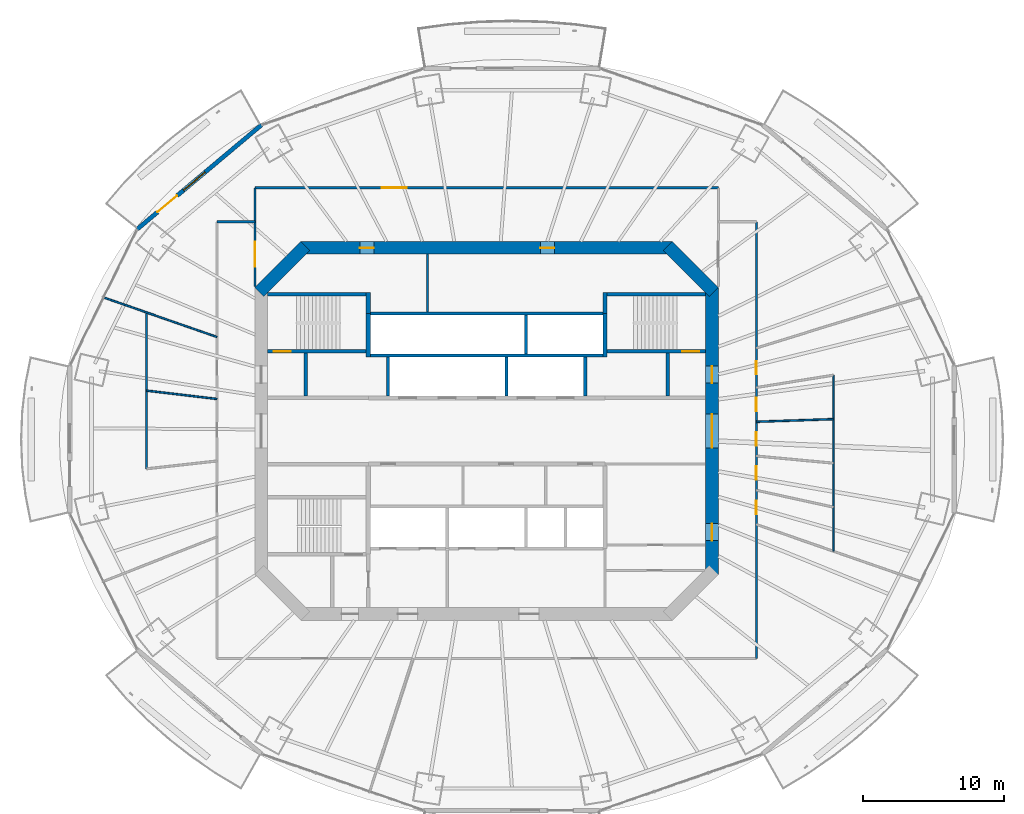
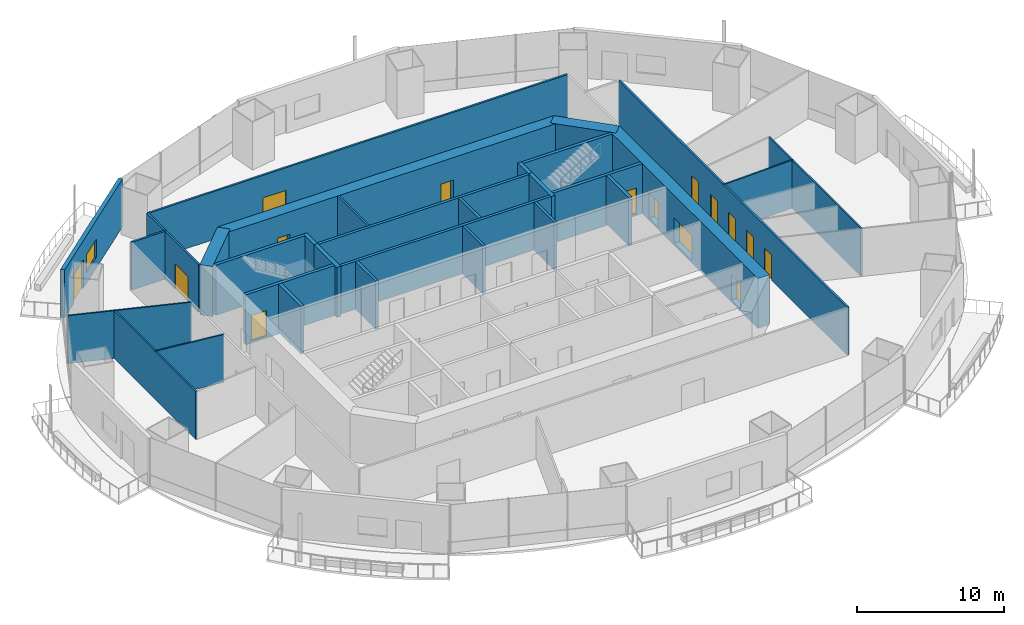
# One storey, part 13 of 20: 31 walls, 15 doors, 1 window, 16 openings.
"""IFC4 building model written with IfcOpenShell, lengths in metres."""

from ifc_helpers import new_model, si_unit, direction, frame, frame_2d, origin, place, context, subcontext, project, spatial, rectangle, extrude, material, layer, layer_set, type_object, element, fill, save


model = new_model("IFC4")

# Units and contexts
model_context = context("Model", 3, precision=1e-05, world=origin(), true_north=direction((0.0, 1.0)))
body_context = subcontext(model_context, "Body", "Model", "MODEL_VIEW")
ifc_project = project(units=[si_unit("LENGTHUNIT", "METRE"), si_unit("AREAUNIT", "SQUARE_METRE"), si_unit("VOLUMEUNIT", "CUBIC_METRE"), si_unit("PLANEANGLEUNIT", "RADIAN"), si_unit("MASSUNIT", "GRAM", prefix="KILO")], contexts=[model_context])

# Site, building, storey
site_placement = place(None, origin())
site = spatial("IfcSite", under=ifc_project, at=site_placement, CompositionType="ELEMENT")
building_placement = place(site_placement, origin())
building = spatial("IfcBuilding", under=site, at=building_placement, Name="Marenthal Gate Tower", CompositionType="ELEMENT")
storey_placement = place(building_placement, frame((0.0, 0.0, 185.949951171875)))
storey = spatial("IfcBuildingStorey", under=building, at=storey_placement, Name="L40", CompositionType="ELEMENT", Elevation=185.949951171875)

# Wall, openings, doors
ifc_material_1 = material(Name="Concrete 60 MPa", Category="concrete")
ifc_layer_1 = layer(ifc_material_1, 0.89990234375)
ifc_layer_set_1 = layer_set([ifc_layer_1], Name="Core shear wall 900")
wall_type_1 = type_object("IfcWallType", Name="Core shear wall 900", PredefinedType="SHEAR", material=ifc_layer_set_1)
wall_1_placement = place(storey_placement, frame((16.0, -10.186279296875, -0.179931640625), z_axis=(0.0, 0.0, 1.0), x_axis=(0.0, 1.0, 0.0)))
wall_1 = element("IfcWall", 1, at=wall_1_placement, inside=storey, type_object=wall_type_1, Name="Core wall 02", PredefinedType="SHEAR", context=body_context, shape_type="SweptSolid", body=[
    extrude(rectangle(XDim=20.37255859375, YDim=0.89990234375, at=frame_2d((10.186279296875, 0.0))), origin(), (0.0, 0.0, 1.0), 4.14990234375),
])
opening_1_placement = place(wall_1_placement, frame((8.986328125, 0.0, 0.179931640625)))
opening_1 = element("IfcOpeningElement", 2, at=opening_1_placement, cuts=wall_1, Name="Opening D003.02", PredefinedType="OPENING", context=body_context, shape_type="SweptSolid", body=[
    extrude(rectangle(XDim=2.39990234375, YDim=2.10009765625, at=frame_2d((1.199951171875, 1.050048828125))), frame((0.0, 0.4599609375, 0.0), z_axis=(0.0, -1.0, 0.0), x_axis=(1.0, 0.0, 0.0)), (0.0, 0.0, 1.0), 0.919921875),
])
opening_2_placement = place(wall_1_placement, frame((13.58642578125, 0.0, 0.179931640625)))
opening_2 = element("IfcOpeningElement", 3, at=opening_2_placement, cuts=wall_1, Name="Opening D001.05", PredefinedType="OPENING", context=body_context, shape_type="SweptSolid", body=[
    extrude(rectangle(XDim=1.199951171875, YDim=2.10009765625, at=frame_2d((0.60009765625, 1.050048828125))), frame((0.0, 0.4599609375, 0.0), z_axis=(0.0, -1.0, 0.0), x_axis=(1.0, 0.0, 0.0)), (0.0, 0.0, 1.0), 0.919921875),
])
opening_3_placement = place(wall_1_placement, frame((2.39990234375, 0.0, 0.179931640625)))
opening_3 = element("IfcOpeningElement", 4, at=opening_3_placement, cuts=wall_1, Name="Opening D006.01", PredefinedType="OPENING", context=body_context, shape_type="SweptSolid", body=[
    extrude(rectangle(XDim=1.199951171875, YDim=2.10009765625, at=frame_2d((0.60009765625, 1.050048828125))), frame((0.0, 0.4599609375, 0.0), z_axis=(0.0, -1.0, 0.0), x_axis=(1.0, 0.0, 0.0)), (0.0, 0.0, 1.0), 0.919921875),
])
ifc_material_2 = material(Name="Steel fire door", Category="steel")
door_type_1 = type_object("IfcDoorType", Name="Double fire door FD 45 2400 x 2100", OperationType="DOUBLE_DOOR_SINGLE_SWING", PredefinedType="DOOR", material=ifc_material_2)
door_1_placement = place(opening_1_placement, origin())
door_1 = element("IfcDoor", 5, at=door_1_placement, inside=storey, type_object=door_type_1, Name="Door D003.02", OperationType="DOUBLE_DOOR_SINGLE_SWING", OverallHeight=2.10009765625, OverallWidth=2.39990234375, PredefinedType="DOOR", context=body_context, shape_type="SweptSolid", body=[
    extrude(rectangle(XDim=2.39990234375, YDim=2.10009765625, at=frame_2d((1.199951171875, 1.050048828125))), frame((0.0, 0.02490234375, 0.0), z_axis=(0.0, -1.0, 0.0), x_axis=(1.0, 0.0, 0.0)), (0.0, 0.0, 1.0), 0.050048828125),
])
fill(opening_1, door_1)
ifc_material_3 = material(Name="Steel fire door", Category="steel")
door_type_2 = type_object("IfcDoorType", Name="Fire door FD 45 1200 x 2100", OperationType="NOTDEFINED", PredefinedType="DOOR", material=ifc_material_3)
door_2_placement = place(opening_3_placement, origin())
door_2 = element("IfcDoor", 6, at=door_2_placement, inside=storey, type_object=door_type_2, Name="Door D006.01", OperationType="SINGLE_SWING_RIGHT", OverallHeight=2.10009765625, OverallWidth=1.199951171875, PredefinedType="DOOR", context=body_context, shape_type="SweptSolid", body=[
    extrude(rectangle(XDim=1.199951171875, YDim=2.10009765625, at=frame_2d((0.60009765625, 1.050048828125))), frame((0.0, 0.02490234375, 0.0), z_axis=(0.0, -1.0, 0.0), x_axis=(1.0, 0.0, 0.0)), (0.0, 0.0, 1.0), 0.050048828125),
])
fill(opening_3, door_2)
ifc_material_4 = material(Name="Steel fire door", Category="steel")
door_type_3 = type_object("IfcDoorType", Name="Fire door FD 90 1200 x 2100", OperationType="NOTDEFINED", PredefinedType="DOOR", material=ifc_material_4)
door_3_placement = place(opening_2_placement, origin())
door_3 = element("IfcDoor", 7, at=door_3_placement, inside=storey, type_object=door_type_3, Name="Door D001.05", OperationType="SINGLE_SWING_RIGHT", OverallHeight=2.10009765625, OverallWidth=1.199951171875, PredefinedType="DOOR", context=body_context, shape_type="SweptSolid", body=[
    extrude(rectangle(XDim=1.199951171875, YDim=2.10009765625, at=frame_2d((0.60009765625, 1.050048828125))), frame((0.0, 0.02490234375, 0.0), z_axis=(0.0, -1.0, 0.0), x_axis=(1.0, 0.0, 0.0)), (0.0, 0.0, 1.0), 0.050048828125),
])
fill(opening_2, door_3)

# Wall
wall_2_placement = place(storey_placement, frame((16.1318359375, 9.8681640625, -0.179931640625), z_axis=(0.0, 0.0, 1.0), x_axis=(-0.707106781187, 0.707106781187, 0.0)))
element("IfcWall", 8, at=wall_2_placement, inside=storey, type_object=wall_type_1, Name="Core wall 03", PredefinedType="SHEAR", context=body_context, shape_type="SweptSolid", body=[
    extrude(rectangle(XDim=4.615478515625, YDim=0.89990234375, at=frame_2d((2.3076171875, 0.0))), origin(), (0.0, 0.0, 1.0), 4.14990234375),
])

# Wall, openings, doors
wall_3_placement = place(storey_placement, frame((13.186279296875, 13.0, -0.179931640625), z_axis=(0.0, 0.0, 1.0), x_axis=(-1.0, 0.0, 0.0)))
wall_3 = element("IfcWall", 9, at=wall_3_placement, inside=storey, type_object=wall_type_1, Name="Core wall 04", PredefinedType="SHEAR", context=body_context, shape_type="SweptSolid", body=[
    extrude(rectangle(XDim=26.37255859375, YDim=0.89990234375, at=frame_2d((13.186279296875, 0.0))), origin(), (0.0, 0.0, 1.0), 4.14990234375),
])
opening_4_placement = place(wall_3_placement, frame((21.193359375, 0.0, 0.179931640625)))
opening_4 = element("IfcOpeningElement", 10, at=opening_4_placement, cuts=wall_3, Name="Opening D005.04", PredefinedType="OPENING", context=body_context, shape_type="SweptSolid", body=[
    extrude(rectangle(XDim=1.0, YDim=2.10009765625, at=frame_2d((0.5, 1.050048828125))), frame((0.0, 0.4599609375, 0.0), z_axis=(0.0, -1.0, 0.0), x_axis=(1.0, 0.0, 0.0)), (0.0, 0.0, 1.0), 0.919921875),
])
opening_5_placement = place(wall_3_placement, frame((8.37939453125, 0.0, 0.179931640625)))
opening_5 = element("IfcOpeningElement", 11, at=opening_5_placement, cuts=wall_3, Name="Opening D005.05", PredefinedType="OPENING", context=body_context, shape_type="SweptSolid", body=[
    extrude(rectangle(XDim=1.0, YDim=2.10009765625, at=frame_2d((0.5, 1.050048828125))), frame((0.0, 0.4599609375, 0.0), z_axis=(0.0, -1.0, 0.0), x_axis=(1.0, 0.0, 0.0)), (0.0, 0.0, 1.0), 0.919921875),
])
ifc_material_5 = material(Name="Steel fire door", Category="steel")
door_type_4 = type_object("IfcDoorType", Name="Fire door FD 45 1000 x 2100", OperationType="NOTDEFINED", PredefinedType="DOOR", material=ifc_material_5)
door_4_placement = place(opening_4_placement, origin())
door_4 = element("IfcDoor", 12, at=door_4_placement, inside=storey, type_object=door_type_4, Name="Door D005.04", OperationType="SINGLE_SWING_RIGHT", OverallHeight=2.10009765625, OverallWidth=1.0, PredefinedType="DOOR", context=body_context, shape_type="SweptSolid", body=[
    extrude(rectangle(XDim=1.0, YDim=2.10009765625, at=frame_2d((0.5, 1.050048828125))), frame((0.0, 0.02490234375, 0.0), z_axis=(0.0, -1.0, 0.0), x_axis=(1.0, 0.0, 0.0)), (0.0, 0.0, 1.0), 0.050048828125),
])
fill(opening_4, door_4)
door_5_placement = place(opening_5_placement, origin())
door_5 = element("IfcDoor", 13, at=door_5_placement, inside=storey, type_object=door_type_4, Name="Door D005.05", OperationType="SINGLE_SWING_RIGHT", OverallHeight=2.10009765625, OverallWidth=1.0, PredefinedType="DOOR", context=body_context, shape_type="SweptSolid", body=[
    extrude(rectangle(XDim=1.0, YDim=2.10009765625, at=frame_2d((0.5, 1.050048828125))), frame((0.0, 0.02490234375, 0.0), z_axis=(0.0, -1.0, 0.0), x_axis=(1.0, 0.0, 0.0)), (0.0, 0.0, 1.0), 0.050048828125),
])
fill(opening_5, door_5)

# Walls
wall_4_placement = place(storey_placement, frame((-12.8681640625, 13.1318359375, -0.179931640625), z_axis=(0.0, 0.0, 1.0), x_axis=(-0.707106781187, -0.707106781187, 0.0)))
element("IfcWall", 14, at=wall_4_placement, inside=storey, type_object=wall_type_1, Name="Core wall 05", PredefinedType="SHEAR", context=body_context, shape_type="SweptSolid", body=[
    extrude(rectangle(XDim=4.615478515625, YDim=0.89990234375, at=frame_2d((2.3076171875, 0.0))), origin(), (0.0, 0.0, 1.0), 4.14990234375),
])
ifc_material_6 = material(Name="Concrete 50 MPa", Category="concrete")
ifc_layer_2 = layer(ifc_material_6, 0.300048828125)
ifc_layer_set_2 = layer_set([ifc_layer_2], Name="Hoistway shear wall 300")
wall_type_2 = type_object("IfcWallType", Name="Hoistway shear wall 300", PredefinedType="SHEAR", material=ifc_layer_set_2)
for number, where, z_axis, x_axis, name in (
    (15, (-8.39990234375, 5.239990234375, -0.179931640625), (0.0, 0.0, 1.0), (0.0, 1.0, 0.0), "Hoistway wall 32"),
    (16, (8.39990234375, 5.239990234375, -0.179931640625), (0.0, 0.0, 1.0), (0.0, 1.0, 0.0), "Hoistway wall 47"),
):
    element("IfcWall", number, at=place(storey_placement, frame(where, z_axis=z_axis, x_axis=x_axis)), inside=storey, type_object=wall_type_2, Name=name, PredefinedType="SHEAR", context=body_context, shape_type="SweptSolid", body=[
        extrude(rectangle(XDim=3.110107421875, YDim=0.300048828125, at=frame_2d((1.55517578125, 0.0))), origin(), (0.0, 0.0, 1.0), 4.14990234375),
    ])
ifc_material_7 = material(Name="Concrete 40 MPa", Category="concrete")
ifc_layer_3 = layer(ifc_material_7, 0.219970703125)
ifc_layer_set_3 = layer_set([ifc_layer_3], Name="Hoistway wall 220")
wall_type_3 = type_object("IfcWallType", Name="Hoistway wall 220", PredefinedType="STANDARD", material=ifc_layer_set_3)
for number, where, z_axis, x_axis, name in (
    (17, (-8.25, 5.35009765625, 0.0), (0.0, 0.0, 1.0), (1.0, 0.0, 0.0), "Hoistway wall 22"),
    (18, (-8.25, 8.35009765625, 0.0), (0.0, 0.0, 1.0), (1.0, 0.0, 0.0), "Hoistway wall 25"),
):
    element("IfcWall", number, at=place(storey_placement, frame(where, z_axis=z_axis, x_axis=x_axis)), inside=storey, type_object=wall_type_3, Name=name, PredefinedType="STANDARD", context=body_context, shape_type="SweptSolid", body=[
        extrude(rectangle(XDim=16.5, YDim=0.219970703125, at=frame_2d((8.25, 0.0))), origin(), (0.0, 0.0, 1.0), 3.969970703125),
    ])
for number, where, z_axis, x_axis, name in (
    (19, (-7.0, 2.5, 0.0), (0.0, 0.0, 1.0), (0.0, 1.0, 0.0), "Hoistway wall 34"),
    (20, (1.39990234375, 2.5, 0.0), (0.0, 0.0, 1.0), (0.0, 1.0, 0.0), "Hoistway wall 39"),
):
    element("IfcWall", number, at=place(storey_placement, frame(where, z_axis=z_axis, x_axis=x_axis)), inside=storey, type_object=wall_type_3, Name=name, PredefinedType="STANDARD", context=body_context, shape_type="SweptSolid", body=[
        extrude(rectangle(XDim=2.739990234375, YDim=0.219970703125, at=frame_2d((1.3701171875, 0.0))), origin(), (0.0, 0.0, 1.0), 3.969970703125),
    ])
wall_5_placement = place(storey_placement, frame((2.800048828125, 5.4599609375, 0.0), z_axis=(0.0, 0.0, 1.0), x_axis=(0.0, 1.0, 0.0)))
element("IfcWall", 21, at=wall_5_placement, inside=storey, type_object=wall_type_3, Name="Hoistway wall 41", PredefinedType="STANDARD", context=body_context, shape_type="SweptSolid", body=[
    extrude(rectangle(XDim=2.780029296875, YDim=0.219970703125, at=frame_2d((1.39013671875, 0.0))), origin(), (0.0, 0.0, 1.0), 3.969970703125),
])
wall_6_placement = place(storey_placement, frame((7.0, 2.5, 0.0), z_axis=(0.0, 0.0, 1.0), x_axis=(0.0, 1.0, 0.0)))
element("IfcWall", 22, at=wall_6_placement, inside=storey, type_object=wall_type_3, Name="Hoistway wall 44", PredefinedType="STANDARD", context=body_context, shape_type="SweptSolid", body=[
    extrude(rectangle(XDim=2.739990234375, YDim=0.219970703125, at=frame_2d((1.3701171875, 0.0))), origin(), (0.0, 0.0, 1.0), 3.969970703125),
])
ifc_material_8 = material(Name="Gypsum board on steel studs", Category="steel")
ifc_layer_4 = layer(ifc_material_8, 0.1201171875)
ifc_layer_set_4 = layer_set([ifc_layer_4], Name="Partition 120")
wall_type_4 = type_object("IfcWallType", Name="Partition 120", PredefinedType="PARTITIONING", material=ifc_layer_set_4)
wall_7_placement = place(storey_placement, frame((-24.14697265625, 2.864013671875, 0.0), z_axis=(0.0, 0.0, 1.0), x_axis=(0.993037544931, -0.117798278244, 0.0)))
element("IfcWall", 23, at=wall_7_placement, inside=storey, type_object=wall_type_4, Name="Partition wall 51", PredefinedType="PARTITIONING", context=body_context, shape_type="SweptSolid", body=[
    extrude(rectangle(XDim=5.0322265625, YDim=0.1201171875, at=frame_2d((2.51611328125, 0.0))), origin(), (0.0, 0.0, 1.0), 3.969970703125),
])
wall_8_placement = place(storey_placement, frame((-24.14697265625, 8.41455078125, 0.0), z_axis=(0.0, 0.0, 1.0), x_axis=(0.0, -1.0, 0.0)))
element("IfcWall", 24, at=wall_8_placement, inside=storey, type_object=wall_type_4, Name="Partition wall 52", PredefinedType="PARTITIONING", context=body_context, shape_type="SweptSolid", body=[
    extrude(rectangle(XDim=11.10107421875, YDim=0.1201171875, at=frame_2d((5.550537109375, 0.0))), origin(), (0.0, 0.0, 1.0), 3.969970703125),
])
wall_9_placement = place(storey_placement, frame((-19.14990234375, 6.673095703125, 0.0), z_axis=(0.0, 0.0, 1.0), x_axis=(-0.944308326955, 0.329061975382, 0.0)))
element("IfcWall", 25, at=wall_9_placement, inside=storey, type_object=wall_type_4, Name="Partition wall 55", PredefinedType="PARTITIONING", context=body_context, shape_type="SweptSolid", body=[
    extrude(rectangle(XDim=8.53515625, YDim=0.1201171875, at=frame_2d((4.267578125, 0.0))), origin(), (0.0, 0.0, 1.0), 3.969970703125),
])
wall_10_placement = place(storey_placement, frame((24.61865234375, -8.535400390625, 0.0), z_axis=(0.0, 0.0, 1.0), x_axis=(0.0, 1.0, 0.0)))
element("IfcWall", 26, at=wall_10_placement, inside=storey, type_object=wall_type_4, Name="Partition wall 66", PredefinedType="PARTITIONING", context=body_context, shape_type="SweptSolid", body=[
    extrude(rectangle(XDim=12.498779296875, YDim=0.1201171875, at=frame_2d((6.24951171875, 0.0))), origin(), (0.0, 0.0, 1.0), 3.969970703125),
])
wall_11_placement = place(storey_placement, frame((24.61865234375, 0.838623046875, 0.0), z_axis=(0.0, 0.0, 1.0), x_axis=(-0.99942037738, -0.034042756605, 0.0)))
element("IfcWall", 27, at=wall_11_placement, inside=storey, type_object=wall_type_4, Name="Partition wall 69", PredefinedType="PARTITIONING", context=body_context, shape_type="SweptSolid", body=[
    extrude(rectangle(XDim=5.471923828125, YDim=0.1201171875, at=frame_2d((2.73583984375, 0.0))), origin(), (0.0, 0.0, 1.0), 3.969970703125),
])
ifc_material_9 = material(Name="Gypsum board on steel studs", Category="steel")
ifc_layer_5 = layer(ifc_material_9, 0.14990234375)
ifc_layer_set_5 = layer_set([ifc_layer_5], Name="Partition 150")
wall_type_5 = type_object("IfcWallType", Name="Partition 150", PredefinedType="PARTITIONING", material=ifc_layer_set_5)
wall_12_placement = place(storey_placement, frame((-4.199951171875, 8.4599609375, 0.0), z_axis=(0.0, 0.0, 1.0), x_axis=(0.0, 1.0, 0.0)))
element("IfcWall", 28, at=wall_12_placement, inside=storey, type_object=wall_type_5, Name="Partition wall 35", PredefinedType="PARTITIONING", context=body_context, shape_type="SweptSolid", body=[
    extrude(rectangle(XDim=4.090087890625, YDim=0.14990234375, at=frame_2d((2.044921875, 0.0))), origin(), (0.0, 0.0, 1.0), 3.969970703125),
])
wall_13_placement = place(storey_placement, frame((-19.14990234375, 14.853759765625, 0.0), z_axis=(0.0, 0.0, 1.0), x_axis=(1.0, 0.0, 0.0)))
element("IfcWall", 29, at=wall_13_placement, inside=storey, type_object=wall_type_5, Name="Partition wall 56", PredefinedType="PARTITIONING", context=body_context, shape_type="SweptSolid", body=[
    extrude(rectangle(XDim=2.699951171875, YDim=0.14990234375, at=frame_2d((1.35009765625, 0.0))), origin(), (0.0, 0.0, 1.0), 3.969970703125),
])

# Wall, opening, door
wall_14_placement = place(storey_placement, frame((-16.449951171875, 10.25, 0.0), z_axis=(0.0, 0.0, 1.0), x_axis=(0.0, 1.0, 0.0)))
wall_14 = element("IfcWall", 30, at=wall_14_placement, inside=storey, type_object=wall_type_5, Name="Partition wall 57", PredefinedType="PARTITIONING", context=body_context, shape_type="SweptSolid", body=[
    extrude(rectangle(XDim=7.01611328125, YDim=0.14990234375, at=frame_2d((3.508056640625, 0.0))), origin(), (0.0, 0.0, 1.0), 3.969970703125),
])
opening_6_placement = place(wall_14_placement, frame((1.402099609375, 0.0, 0.0)))
opening_6 = element("IfcOpeningElement", 31, at=opening_6_placement, cuts=wall_14, Name="Opening D014.05", PredefinedType="OPENING", context=body_context, shape_type="SweptSolid", body=[
    extrude(rectangle(XDim=1.800048828125, YDim=2.10009765625, at=frame_2d((0.89990234375, 1.050048828125))), frame((0.0, 0.0849609375, 0.0), z_axis=(0.0, -1.0, 0.0), x_axis=(1.0, 0.0, 0.0)), (0.0, 0.0, 1.0), 0.169921875),
])
ifc_material_10 = material(Name="Timber door", Category="wood")
door_type_5 = type_object("IfcDoorType", Name="Double door 1800 x 2100", OperationType="DOUBLE_DOOR_SINGLE_SWING", PredefinedType="DOOR", material=ifc_material_10)
door_6_placement = place(opening_6_placement, origin())
door_6 = element("IfcDoor", 32, at=door_6_placement, inside=storey, type_object=door_type_5, Name="Door D014.05", OperationType="DOUBLE_DOOR_SINGLE_SWING", OverallHeight=2.10009765625, OverallWidth=1.800048828125, PredefinedType="DOOR", context=body_context, shape_type="SweptSolid", body=[
    extrude(rectangle(XDim=1.800048828125, YDim=2.10009765625, at=frame_2d((0.89990234375, 1.050048828125))), frame((0.0, 0.02490234375, 0.0), z_axis=(0.0, -1.0, 0.0), x_axis=(1.0, 0.0, 0.0)), (0.0, 0.0, 1.0), 0.050048828125),
])
fill(opening_6, door_6)

wall_15_placement = place(storey_placement, frame((-16.449951171875, 17.26611328125, 0.0), z_axis=(0.0, 0.0, 1.0), x_axis=(1.0, 0.0, 0.0)))
wall_15 = element("IfcWall", 33, at=wall_15_placement, inside=storey, type_object=wall_type_5, Name="Partition wall 58", PredefinedType="PARTITIONING", context=body_context, shape_type="SweptSolid", body=[
    extrude(rectangle(XDim=32.89990234375, YDim=0.14990234375, at=frame_2d((16.449951171875, 0.0))), origin(), (0.0, 0.0, 1.0), 3.969970703125),
])
opening_7_placement = place(wall_15_placement, frame((8.985107421875, 0.0, 0.0)))
opening_7 = element("IfcOpeningElement", 34, at=opening_7_placement, cuts=wall_15, Name="Opening D014.01", PredefinedType="OPENING", context=body_context, shape_type="SweptSolid", body=[
    extrude(rectangle(XDim=1.800048828125, YDim=2.10009765625, at=frame_2d((0.89990234375, 1.050048828125))), frame((0.0, 0.0849609375, 0.0), z_axis=(0.0, -1.0, 0.0), x_axis=(1.0, 0.0, 0.0)), (0.0, 0.0, 1.0), 0.169921875),
])
door_7_placement = place(opening_7_placement, origin())
door_7 = element("IfcDoor", 35, at=door_7_placement, inside=storey, type_object=door_type_5, Name="Door D014.01", OperationType="DOUBLE_DOOR_SINGLE_SWING", OverallHeight=2.10009765625, OverallWidth=1.800048828125, PredefinedType="DOOR", context=body_context, shape_type="SweptSolid", body=[
    extrude(rectangle(XDim=1.800048828125, YDim=2.10009765625, at=frame_2d((0.89990234375, 1.050048828125))), frame((0.0, 0.02490234375, 0.0), z_axis=(0.0, -1.0, 0.0), x_axis=(1.0, 0.0, 0.0)), (0.0, 0.0, 1.0), 0.050048828125),
])
fill(opening_7, door_7)

# Wall, openings, doors
wall_16_placement = place(storey_placement, frame((19.14990234375, 14.853759765625, 0.0), z_axis=(0.0, 0.0, 1.0), x_axis=(0.0, -1.0, 0.0)))
wall_16 = element("IfcWall", 36, at=wall_16_placement, inside=storey, type_object=wall_type_5, Name="Partition wall 65", PredefinedType="PARTITIONING", context=body_context, shape_type="SweptSolid", body=[
    extrude(rectangle(XDim=31.003662109375, YDim=0.14990234375, at=frame_2d((15.501953125, 0.0))), origin(), (0.0, 0.0, 1.0), 3.969970703125),
])
opening_8_placement = place(wall_16_placement, frame((19.802978515625, 0.0, 0.0)))
opening_8 = element("IfcOpeningElement", 37, at=opening_8_placement, cuts=wall_16, Name="Opening D016.03", PredefinedType="OPENING", context=body_context, shape_type="SweptSolid", body=[
    extrude(rectangle(XDim=0.949951171875, YDim=2.10009765625, at=frame_2d((0.47509765625, 1.050048828125))), frame((0.0, 0.0849609375, 0.0), z_axis=(0.0, -1.0, 0.0), x_axis=(1.0, 0.0, 0.0)), (0.0, 0.0, 1.0), 0.169921875),
])
opening_9_placement = place(wall_16_placement, frame((17.3720703125, 0.0, 0.0)))
opening_9 = element("IfcOpeningElement", 38, at=opening_9_placement, cuts=wall_16, Name="Opening D016.04", PredefinedType="OPENING", context=body_context, shape_type="SweptSolid", body=[
    extrude(rectangle(XDim=0.949951171875, YDim=2.10009765625, at=frame_2d((0.47509765625, 1.050048828125))), frame((0.0, 0.0849609375, 0.0), z_axis=(0.0, -1.0, 0.0), x_axis=(1.0, 0.0, 0.0)), (0.0, 0.0, 1.0), 0.169921875),
])
opening_10_placement = place(wall_16_placement, frame((14.94189453125, 0.0, 0.0)))
opening_10 = element("IfcOpeningElement", 39, at=opening_10_placement, cuts=wall_16, Name="Opening D016.05", PredefinedType="OPENING", context=body_context, shape_type="SweptSolid", body=[
    extrude(rectangle(XDim=0.949951171875, YDim=2.10009765625, at=frame_2d((0.47509765625, 1.050048828125))), frame((0.0, 0.0849609375, 0.0), z_axis=(0.0, -1.0, 0.0), x_axis=(1.0, 0.0, 0.0)), (0.0, 0.0, 1.0), 0.169921875),
])
opening_11_placement = place(wall_16_placement, frame((12.510986328125, 0.0, 0.0)))
opening_11 = element("IfcOpeningElement", 40, at=opening_11_placement, cuts=wall_16, Name="Opening D016.06", PredefinedType="OPENING", context=body_context, shape_type="SweptSolid", body=[
    extrude(rectangle(XDim=0.949951171875, YDim=2.10009765625, at=frame_2d((0.47509765625, 1.050048828125))), frame((0.0, 0.0849609375, 0.0), z_axis=(0.0, -1.0, 0.0), x_axis=(1.0, 0.0, 0.0)), (0.0, 0.0, 1.0), 0.169921875),
])
opening_12_placement = place(wall_16_placement, frame((9.89111328125, 0.0, 0.0)))
opening_12 = element("IfcOpeningElement", 41, at=opening_12_placement, cuts=wall_16, Name="Opening D016.07", PredefinedType="OPENING", context=body_context, shape_type="SweptSolid", body=[
    extrude(rectangle(XDim=0.949951171875, YDim=2.10009765625, at=frame_2d((0.47509765625, 1.050048828125))), frame((0.0, 0.0849609375, 0.0), z_axis=(0.0, -1.0, 0.0), x_axis=(1.0, 0.0, 0.0)), (0.0, 0.0, 1.0), 0.169921875),
])
ifc_material_11 = material(Name="Timber door", Category="wood")
door_type_6 = type_object("IfcDoorType", Name="Door 950 x 2100", OperationType="NOTDEFINED", PredefinedType="DOOR", material=ifc_material_11)
door_8_placement = place(opening_8_placement, origin())
door_8 = element("IfcDoor", 42, at=door_8_placement, inside=storey, type_object=door_type_6, Name="Door D016.03", OperationType="SINGLE_SWING_RIGHT", OverallHeight=2.10009765625, OverallWidth=0.949951171875, PredefinedType="DOOR", context=body_context, shape_type="SweptSolid", body=[
    extrude(rectangle(XDim=0.949951171875, YDim=2.10009765625, at=frame_2d((0.47509765625, 1.050048828125))), frame((0.0, 0.02490234375, 0.0), z_axis=(0.0, -1.0, 0.0), x_axis=(1.0, 0.0, 0.0)), (0.0, 0.0, 1.0), 0.050048828125),
])
fill(opening_8, door_8)
door_9_placement = place(opening_9_placement, origin())
door_9 = element("IfcDoor", 43, at=door_9_placement, inside=storey, type_object=door_type_6, Name="Door D016.04", OperationType="SINGLE_SWING_RIGHT", OverallHeight=2.10009765625, OverallWidth=0.949951171875, PredefinedType="DOOR", context=body_context, shape_type="SweptSolid", body=[
    extrude(rectangle(XDim=0.949951171875, YDim=2.10009765625, at=frame_2d((0.47509765625, 1.050048828125))), frame((0.0, 0.02490234375, 0.0), z_axis=(0.0, -1.0, 0.0), x_axis=(1.0, 0.0, 0.0)), (0.0, 0.0, 1.0), 0.050048828125),
])
fill(opening_9, door_9)
door_10_placement = place(opening_10_placement, origin())
door_10 = element("IfcDoor", 44, at=door_10_placement, inside=storey, type_object=door_type_6, Name="Door D016.05", OperationType="SINGLE_SWING_RIGHT", OverallHeight=2.10009765625, OverallWidth=0.949951171875, PredefinedType="DOOR", context=body_context, shape_type="SweptSolid", body=[
    extrude(rectangle(XDim=0.949951171875, YDim=2.10009765625, at=frame_2d((0.47509765625, 1.050048828125))), frame((0.0, 0.02490234375, 0.0), z_axis=(0.0, -1.0, 0.0), x_axis=(1.0, 0.0, 0.0)), (0.0, 0.0, 1.0), 0.050048828125),
])
fill(opening_10, door_10)
door_11_placement = place(opening_11_placement, origin())
door_11 = element("IfcDoor", 45, at=door_11_placement, inside=storey, type_object=door_type_6, Name="Door D016.06", OperationType="SINGLE_SWING_RIGHT", OverallHeight=2.10009765625, OverallWidth=0.949951171875, PredefinedType="DOOR", context=body_context, shape_type="SweptSolid", body=[
    extrude(rectangle(XDim=0.949951171875, YDim=2.10009765625, at=frame_2d((0.47509765625, 1.050048828125))), frame((0.0, 0.02490234375, 0.0), z_axis=(0.0, -1.0, 0.0), x_axis=(1.0, 0.0, 0.0)), (0.0, 0.0, 1.0), 0.050048828125),
])
fill(opening_11, door_11)
door_12_placement = place(opening_12_placement, origin())
door_12 = element("IfcDoor", 46, at=door_12_placement, inside=storey, type_object=door_type_6, Name="Door D016.07", OperationType="SINGLE_SWING_RIGHT", OverallHeight=2.10009765625, OverallWidth=0.949951171875, PredefinedType="DOOR", context=body_context, shape_type="SweptSolid", body=[
    extrude(rectangle(XDim=0.949951171875, YDim=2.10009765625, at=frame_2d((0.47509765625, 1.050048828125))), frame((0.0, 0.02490234375, 0.0), z_axis=(0.0, -1.0, 0.0), x_axis=(1.0, 0.0, 0.0)), (0.0, 0.0, 1.0), 0.050048828125),
])
fill(opening_12, door_12)

# Walls
ifc_material_12 = material(Name="Concrete 40 MPa", Category="concrete")
ifc_layer_6 = layer(ifc_material_12, 0.25)
ifc_layer_set_6 = layer_set([ifc_layer_6], Name="Stair enclosure wall 250")
wall_type_6 = type_object("IfcWallType", Name="Stair enclosure wall 250", PredefinedType="STANDARD", material=ifc_layer_set_6)
for number, where, z_axis, x_axis, name in (
    (47, (-12.85009765625, 2.47509765625, 0.0), (0.0, 0.0, 1.0), (0.0, 1.0, 0.0), "Stair wall 28"),
    (48, (12.85009765625, 2.47509765625, 0.0), (0.0, 0.0, 1.0), (0.0, 1.0, 0.0), "Stair wall 49"),
):
    element("IfcWall", number, at=place(storey_placement, frame(where, z_axis=z_axis, x_axis=x_axis)), inside=storey, type_object=wall_type_6, Name=name, PredefinedType="STANDARD", context=body_context, shape_type="SweptSolid", body=[
        extrude(rectangle(XDim=3.0498046875, YDim=0.25, at=frame_2d((1.52490234375, 0.0))), origin(), (0.0, 0.0, 1.0), 3.969970703125),
    ])

# Wall, opening, door
ifc_material_13 = material(Name="Concrete 50 MPa", Category="concrete")
ifc_layer_7 = layer(ifc_material_13, 0.25)
ifc_layer_set_7 = layer_set([ifc_layer_7], Name="Stair shear wall 250")
wall_type_7 = type_object("IfcWallType", Name="Stair shear wall 250", PredefinedType="SHEAR", material=ifc_layer_set_7)
wall_17_placement = place(storey_placement, frame((-15.550048828125, 5.64990234375, -0.179931640625), z_axis=(0.0, 0.0, 1.0), x_axis=(1.0, 0.0, 0.0)))
wall_17 = element("IfcWall", 49, at=wall_17_placement, inside=storey, type_object=wall_type_7, Name="Stair wall 23", PredefinedType="SHEAR", context=body_context, shape_type="SweptSolid", body=[
    extrude(rectangle(XDim=7.0, YDim=0.25, at=frame_2d((3.5, 0.0))), origin(), (0.0, 0.0, 1.0), 4.14990234375),
])
opening_13_placement = place(wall_17_placement, frame((0.449951171875, 0.0, 0.179931640625)))
opening_13 = element("IfcOpeningElement", 50, at=opening_13_placement, cuts=wall_17, Name="Opening D001.01", PredefinedType="OPENING", context=body_context, shape_type="SweptSolid", body=[
    extrude(rectangle(XDim=1.199951171875, YDim=2.10009765625, at=frame_2d((0.60009765625, 1.050048828125))), frame((0.0, 0.135009765625, 0.0), z_axis=(0.0, -1.0, 0.0), x_axis=(1.0, 0.0, 0.0)), (0.0, 0.0, 1.0), 0.27001953125),
])
door_13_placement = place(opening_13_placement, origin())
door_13 = element("IfcDoor", 51, at=door_13_placement, inside=storey, type_object=door_type_3, Name="Door D001.01", OperationType="SINGLE_SWING_RIGHT", OverallHeight=2.10009765625, OverallWidth=1.199951171875, PredefinedType="DOOR", context=body_context, shape_type="SweptSolid", body=[
    extrude(rectangle(XDim=1.199951171875, YDim=2.10009765625, at=frame_2d((0.60009765625, 1.050048828125))), frame((0.0, 0.02490234375, 0.0), z_axis=(0.0, -1.0, 0.0), x_axis=(1.0, 0.0, 0.0)), (0.0, 0.0, 1.0), 0.050048828125),
])
fill(opening_13, door_13)

wall_18_placement = place(storey_placement, frame((8.550048828125, 5.64990234375, -0.179931640625), z_axis=(0.0, 0.0, 1.0), x_axis=(1.0, 0.0, 0.0)))
wall_18 = element("IfcWall", 52, at=wall_18_placement, inside=storey, type_object=wall_type_7, Name="Stair wall 24", PredefinedType="SHEAR", context=body_context, shape_type="SweptSolid", body=[
    extrude(rectangle(XDim=7.0, YDim=0.25, at=frame_2d((3.5, 0.0))), origin(), (0.0, 0.0, 1.0), 4.14990234375),
])
opening_14_placement = place(wall_18_placement, frame((5.35009765625, 0.0, 0.179931640625)))
opening_14 = element("IfcOpeningElement", 53, at=opening_14_placement, cuts=wall_18, Name="Opening D001.02", PredefinedType="OPENING", context=body_context, shape_type="SweptSolid", body=[
    extrude(rectangle(XDim=1.199951171875, YDim=2.10009765625, at=frame_2d((0.60009765625, 1.050048828125))), frame((0.0, 0.135009765625, 0.0), z_axis=(0.0, -1.0, 0.0), x_axis=(1.0, 0.0, 0.0)), (0.0, 0.0, 1.0), 0.27001953125),
])
door_14_placement = place(opening_14_placement, origin())
door_14 = element("IfcDoor", 54, at=door_14_placement, inside=storey, type_object=door_type_3, Name="Door D001.02", OperationType="SINGLE_SWING_RIGHT", OverallHeight=2.10009765625, OverallWidth=1.199951171875, PredefinedType="DOOR", context=body_context, shape_type="SweptSolid", body=[
    extrude(rectangle(XDim=1.199951171875, YDim=2.10009765625, at=frame_2d((0.60009765625, 1.050048828125))), frame((0.0, 0.02490234375, 0.0), z_axis=(0.0, -1.0, 0.0), x_axis=(1.0, 0.0, 0.0)), (0.0, 0.0, 1.0), 0.050048828125),
])
fill(opening_14, door_14)

# Walls
for number, where, z_axis, x_axis, name in (
    (55, (-15.550048828125, 9.699951171875, -0.179931640625), (0.0, 0.0, 1.0), (1.0, 0.0, 0.0), "Stair wall 26"),
    (56, (8.550048828125, 9.699951171875, -0.179931640625), (0.0, 0.0, 1.0), (1.0, 0.0, 0.0), "Stair wall 27"),
):
    element("IfcWall", number, at=place(storey_placement, frame(where, z_axis=z_axis, x_axis=x_axis)), inside=storey, type_object=wall_type_7, Name=name, PredefinedType="SHEAR", context=body_context, shape_type="SweptSolid", body=[
        extrude(rectangle(XDim=7.0, YDim=0.25, at=frame_2d((3.5, 0.0))), origin(), (0.0, 0.0, 1.0), 4.14990234375),
    ])
ifc_material_14 = material(Name="Concrete 50 MPa", Category="concrete")
ifc_layer_8 = layer(ifc_material_14, 0.300048828125)
ifc_layer_set_8 = layer_set([ifc_layer_8], Name="Stair shear wall 300")
wall_type_8 = type_object("IfcWallType", Name="Stair shear wall 300", PredefinedType="SHEAR", material=ifc_layer_set_8)
for number, where, z_axis, x_axis, name in (
    (57, (-8.39990234375, 8.35009765625, -0.179931640625), (0.0, 0.0, 1.0), (0.0, 1.0, 0.0), "Stair wall 33"),
    (58, (8.39990234375, 8.35009765625, -0.179931640625), (0.0, 0.0, 1.0), (0.0, 1.0, 0.0), "Stair wall 48"),
):
    element("IfcWall", number, at=place(storey_placement, frame(where, z_axis=z_axis, x_axis=x_axis)), inside=storey, type_object=wall_type_8, Name=name, PredefinedType="SHEAR", context=body_context, shape_type="SweptSolid", body=[
        extrude(rectangle(XDim=1.474853515625, YDim=0.300048828125, at=frame_2d((0.7373046875, 0.0))), origin(), (0.0, 0.0, 1.0), 4.14990234375),
    ])

# Wall, openings, door, window
ifc_material_15 = material(Name="Terracotta cladding on insulated concrete-block backing", Category="masonry")
ifc_layer_9 = layer(ifc_material_15, 0.300048828125)
ifc_layer_set_9 = layer_set([ifc_layer_9], Name="Terracotta facade wall 300")
wall_type_9 = type_object("IfcWallType", Name="Terracotta facade wall 300", PredefinedType="SOLIDWALL", material=ifc_layer_set_9)
wall_19_placement = place(storey_placement, frame((-15.986572265625, 21.734130859375, 0.0), z_axis=(0.0, 0.0, 1.0), x_axis=(-0.766082233378, -0.642742570321, 0.0)))
wall_19 = element("IfcWall", 59, at=wall_19_placement, inside=storey, type_object=wall_type_9, Name="Terracotta facade wall L40 bay 6", PredefinedType="SOLIDWALL", context=body_context, shape_type="SweptSolid", body=[
    extrude(rectangle(XDim=11.530029296875, YDim=0.300048828125, at=frame_2d((5.76513671875, 0.0))), origin(), (0.0, 0.0, 1.0), 3.969970703125),
])
opening_15_placement = place(wall_19_placement, frame((7.830078125, 0.0, 0.0)))
opening_15 = element("IfcOpeningElement", 60, at=opening_15_placement, cuts=wall_19, Name="Opening BD-L40-06", PredefinedType="OPENING", context=body_context, shape_type="SweptSolid", body=[
    extrude(rectangle(XDim=1.800048828125, YDim=2.39990234375, at=frame_2d((0.89990234375, 1.199951171875))), frame((0.0, 0.16015625, 0.0), z_axis=(0.0, -1.0, 0.0), x_axis=(1.0, 0.0, 0.0)), (0.0, 0.0, 1.0), 0.320068359375),
])
opening_16_placement = place(wall_19_placement, frame((5.22998046875, 0.0, 0.89990234375)))
opening_16 = element("IfcOpeningElement", 61, at=opening_16_placement, cuts=wall_19, Name="Opening WN2-L40-06", PredefinedType="OPENING", context=body_context, shape_type="SweptSolid", body=[
    extrude(rectangle(XDim=2.0, YDim=1.5, at=frame_2d((1.0, 0.75))), frame((0.0, 0.16015625, 0.0), z_axis=(0.0, -1.0, 0.0), x_axis=(1.0, 0.0, 0.0)), (0.0, 0.0, 1.0), 0.320068359375),
])
ifc_material_16 = material(Name="Aluminium and glass", Category="aluminium")
door_type_7 = type_object("IfcDoorType", Name="Balcony door 1800x2400", OperationType="DOUBLE_DOOR_SINGLE_SWING", PredefinedType="DOOR", material=ifc_material_16)
door_15_placement = place(opening_15_placement, origin())
door_15 = element("IfcDoor", 62, at=door_15_placement, inside=storey, type_object=door_type_7, Name="Balcony door L40 bay 6", OperationType="SINGLE_SWING_LEFT", OverallHeight=2.39990234375, OverallWidth=1.800048828125, PredefinedType="DOOR", context=body_context, shape_type="SweptSolid", body=[
    extrude(rectangle(XDim=1.800048828125, YDim=2.39990234375, at=frame_2d((0.89990234375, 1.199951171875))), frame((0.0, 0.02490234375, 0.0), z_axis=(0.0, -1.0, 0.0), x_axis=(1.0, 0.0, 0.0)), (0.0, 0.0, 1.0), 0.050048828125),
])
fill(opening_15, door_15)
ifc_material_17 = material(Name="Aluminium and glass", Category="aluminium")
window_type = type_object("IfcWindowType", Name="Window 2000x1500", PartitioningType="DOUBLE_PANEL_VERTICAL", PredefinedType="WINDOW", material=ifc_material_17)
window_placement = place(opening_16_placement, origin())
window = element("IfcWindow", 63, at=window_placement, inside=storey, type_object=window_type, Name="Window L40 bay 6", OverallHeight=1.5, OverallWidth=2.0, PartitioningType="SINGLE_PANEL", PredefinedType="WINDOW", context=body_context, shape_type="SweptSolid", body=[
    extrude(rectangle(XDim=2.0, YDim=1.5, at=frame_2d((1.0, 0.75))), frame((0.0, 0.030029296875, 0.0), z_axis=(0.0, -1.0, 0.0), x_axis=(1.0, 0.0, 0.0)), (0.0, 0.0, 1.0), 0.06005859375),
])
fill(opening_16, window)

save(model, "model.ifc")
